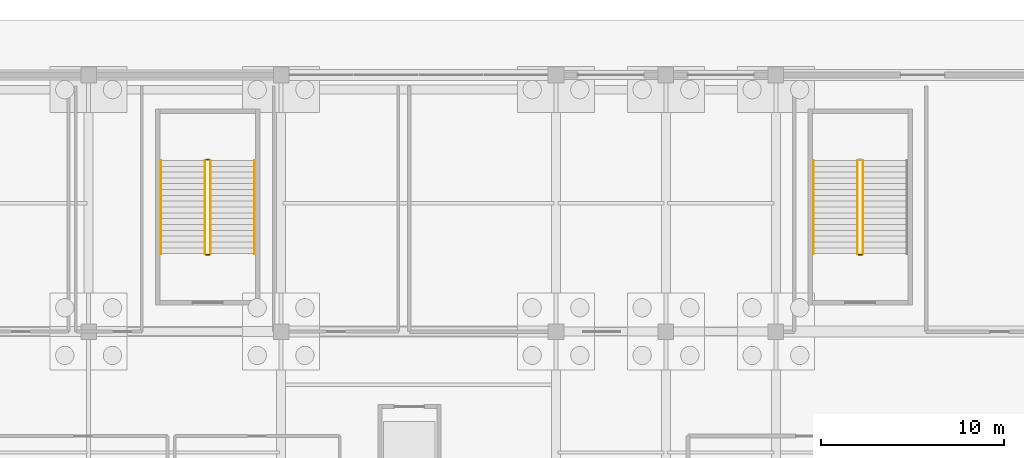
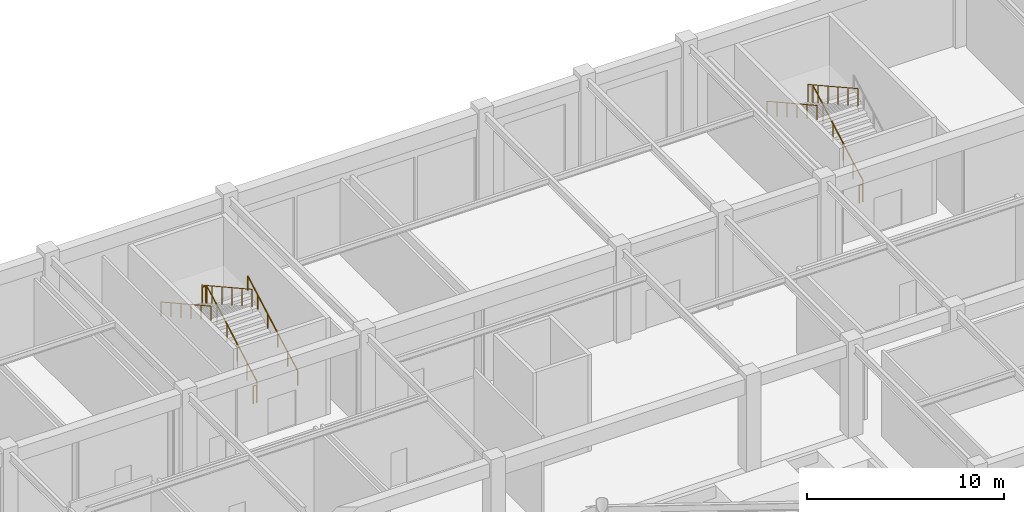
# One storey, part 119 of 121: 10 railings.
"""IFC4 building model written with IfcOpenShell, lengths in metres."""

from ifc_helpers import new_model, si_unit, direction, frame, origin, origin_2d, place, context, subcontext, project, spatial, circle, extrude, material, type_object, element, save


model = new_model("IFC4")

# Units and contexts
model_context = context("Model", 3, precision=1e-05, world=origin(), true_north=direction((0.0, 1.0)))
body_context = subcontext(model_context, "Body", "Model", "MODEL_VIEW")
ifc_project = project(units=[si_unit("LENGTHUNIT", "METRE"), si_unit("AREAUNIT", "SQUARE_METRE"), si_unit("VOLUMEUNIT", "CUBIC_METRE"), si_unit("PLANEANGLEUNIT", "RADIAN"), si_unit("MASSUNIT", "GRAM", prefix="KILO")], contexts=[model_context])

# Site, building, storey
site_placement = place(None, origin())
site = spatial("IfcSite", under=ifc_project, at=site_placement, CompositionType="ELEMENT")
building_placement = place(site_placement, origin())
building = spatial("IfcBuilding", under=site, at=building_placement, Name="Cuetzalor Civic Arena", CompositionType="ELEMENT")
storey_placement = place(building_placement, origin())
storey = spatial("IfcBuildingStorey", under=building, at=storey_placement, Name="L00", CompositionType="ELEMENT", Elevation=0.0)

# Railings
ifc_material_1 = material(Name="Reseda-green architectural Steel S355 balustrade", Category="steel")
railing_type_1 = type_object("IfcRailingType", Name="InteriorVoidBalustrade_1100", PredefinedType="BALUSTRADE", material=ifc_material_1)
railing_1_placement = place(storey_placement, frame((17.14990234375, 65.75, 0.176513671875)))
element("IfcRailing", 1, at=railing_1_placement, inside=storey, type_object=railing_type_1, Name="L00 ST-26 stair guard 1", PredefinedType="BALUSTRADE", context=body_context, shape_type="SweptSolid", body=[
    extrude(circle(Radius=0.02392578125, at=origin_2d()), frame((0.0, 0.0, 1.0810546875), z_axis=(0.0, 0.874384777292, 0.485233202945), x_axis=(-1.0, 0.0, 0.0)), (0.0, 0.0, 1.0), 5.81884765625),
    extrude(circle(Radius=0.02099609375, at=origin_2d()), origin(), (0.0, 0.0, 1.0), 1.056884765625),
    extrude(circle(Radius=0.02099609375, at=origin_2d()), frame((0.0, 1.017578125, 0.564697265625)), (0.0, 0.0, 1.0), 1.056884765625),
    extrude(circle(Radius=0.02099609375, at=origin_2d()), frame((0.0, 2.03515625, 1.12939453125)), (0.0, 0.0, 1.0), 1.056884765625),
    extrude(circle(Radius=0.02099609375, at=origin_2d()), frame((0.0, 3.052734375, 1.694091796875)), (0.0, 0.0, 1.0), 1.056884765625),
    extrude(circle(Radius=0.02099609375, at=origin_2d()), frame((0.0, 4.0703125, 2.2587890625)), (0.0, 0.0, 1.0), 1.056884765625),
    extrude(circle(Radius=0.02099609375, at=origin_2d()), frame((0.0, 5.087890625, 2.823486328125)), (0.0, 0.0, 1.0), 1.056884765625),
])
railing_2_placement = place(storey_placement, frame((17.10009765625, 70.887939453125, 3.0)))
element("IfcRailing", 2, at=railing_2_placement, inside=storey, type_object=railing_type_1, Name="L00 ST-26 stair guard 2", PredefinedType="BALUSTRADE", context=body_context, shape_type="SweptSolid", body=[
    extrude(circle(Radius=0.02392578125, at=origin_2d()), frame((0.0, 0.0, 1.0810546875), z_axis=(-1.0, 0.0, 0.0), x_axis=(0.0, -1.0, 0.0)), (0.0, 0.0, 1.0), 0.2001953125),
    extrude(circle(Radius=0.02099609375, at=origin_2d()), origin(), (0.0, 0.0, 1.0), 1.056884765625),
    extrude(circle(Radius=0.02099609375, at=origin_2d()), frame((-0.2001953125, 0.0, 0.0)), (0.0, 0.0, 1.0), 1.056884765625),
])
railing_3_placement = place(storey_placement, frame((16.85009765625, 70.837890625, 3.176513671875)))
element("IfcRailing", 3, at=railing_3_placement, inside=storey, type_object=railing_type_1, Name="L00 ST-26 stair guard 3", PredefinedType="BALUSTRADE", context=body_context, shape_type="SweptSolid", body=[
    extrude(circle(Radius=0.02392578125, at=origin_2d()), frame((0.0, 0.0, 1.0810546875), z_axis=(0.0, -0.874384777292, 0.485233202945), x_axis=(1.0, 0.0, 0.0)), (0.0, 0.0, 1.0), 5.81884765625),
    extrude(circle(Radius=0.02099609375, at=origin_2d()), origin(), (0.0, 0.0, 1.0), 1.056884765625),
    extrude(circle(Radius=0.02099609375, at=origin_2d()), frame((0.0, -1.017578125, 0.564697265625)), (0.0, 0.0, 1.0), 1.056884765625),
    extrude(circle(Radius=0.02099609375, at=origin_2d()), frame((0.0, -2.03515625, 1.12939453125)), (0.0, 0.0, 1.0), 1.056884765625),
    extrude(circle(Radius=0.02099609375, at=origin_2d()), frame((0.0, -3.052734375, 1.694091796875)), (0.0, 0.0, 1.0), 1.056884765625),
    extrude(circle(Radius=0.02099609375, at=origin_2d()), frame((0.0, -4.0703125, 2.2587890625)), (0.0, 0.0, 1.0), 1.056884765625),
    extrude(circle(Radius=0.02099609375, at=origin_2d()), frame((0.0, -5.087890625, 2.823486328125)), (0.0, 0.0, 1.0), 1.056884765625),
])
railing_4_placement = place(storey_placement, frame((17.10009765625, 65.699951171875, 0.0)))
element("IfcRailing", 4, at=railing_4_placement, inside=storey, type_object=railing_type_1, Name="L00 ST-26 stair guard 4", PredefinedType="BALUSTRADE", context=body_context, shape_type="SweptSolid", body=[
    extrude(circle(Radius=0.02392578125, at=origin_2d()), frame((0.0, 0.0, 1.0810546875), z_axis=(-1.0, 0.0, 0.0), x_axis=(0.0, -1.0, 0.0)), (0.0, 0.0, 1.0), 0.2001953125),
    extrude(circle(Radius=0.02099609375, at=origin_2d()), origin(), (0.0, 0.0, 1.0), 1.056884765625),
    extrude(circle(Radius=0.02099609375, at=origin_2d()), frame((-0.2001953125, 0.0, 0.0)), (0.0, 0.0, 1.0), 1.056884765625),
])
railing_5_placement = place(storey_placement, frame((52.75, 65.75, 0.176513671875)))
element("IfcRailing", 5, at=railing_5_placement, inside=storey, type_object=railing_type_1, Name="L00 ST-27 stair guard 1", PredefinedType="BALUSTRADE", context=body_context, shape_type="SweptSolid", body=[
    extrude(circle(Radius=0.02392578125, at=origin_2d()), frame((0.0, 0.0, 1.0810546875), z_axis=(0.0, 0.874384777292, 0.485233202945), x_axis=(-1.0, 0.0, 0.0)), (0.0, 0.0, 1.0), 5.81884765625),
    extrude(circle(Radius=0.02099609375, at=origin_2d()), origin(), (0.0, 0.0, 1.0), 1.056884765625),
    extrude(circle(Radius=0.02099609375, at=origin_2d()), frame((0.0, 1.017578125, 0.564697265625)), (0.0, 0.0, 1.0), 1.056884765625),
    extrude(circle(Radius=0.02099609375, at=origin_2d()), frame((0.0, 2.03515625, 1.12939453125)), (0.0, 0.0, 1.0), 1.056884765625),
    extrude(circle(Radius=0.02099609375, at=origin_2d()), frame((0.0, 3.052734375, 1.694091796875)), (0.0, 0.0, 1.0), 1.056884765625),
    extrude(circle(Radius=0.02099609375, at=origin_2d()), frame((0.0, 4.0703125, 2.2587890625)), (0.0, 0.0, 1.0), 1.056884765625),
    extrude(circle(Radius=0.02099609375, at=origin_2d()), frame((0.0, 5.087890625, 2.823486328125)), (0.0, 0.0, 1.0), 1.056884765625),
])
railing_6_placement = place(storey_placement, frame((52.449951171875, 70.837890625, 3.176513671875)))
element("IfcRailing", 6, at=railing_6_placement, inside=storey, type_object=railing_type_1, Name="L00 ST-27 stair guard 3", PredefinedType="BALUSTRADE", context=body_context, shape_type="SweptSolid", body=[
    extrude(circle(Radius=0.02392578125, at=origin_2d()), frame((0.0, 0.0, 1.0810546875), z_axis=(0.0, -0.874384777292, 0.485233202945), x_axis=(1.0, 0.0, 0.0)), (0.0, 0.0, 1.0), 5.81884765625),
    extrude(circle(Radius=0.02099609375, at=origin_2d()), origin(), (0.0, 0.0, 1.0), 1.056884765625),
    extrude(circle(Radius=0.02099609375, at=origin_2d()), frame((0.0, -1.017578125, 0.564697265625)), (0.0, 0.0, 1.0), 1.056884765625),
    extrude(circle(Radius=0.02099609375, at=origin_2d()), frame((0.0, -2.03515625, 1.12939453125)), (0.0, 0.0, 1.0), 1.056884765625),
    extrude(circle(Radius=0.02099609375, at=origin_2d()), frame((0.0, -3.052734375, 1.694091796875)), (0.0, 0.0, 1.0), 1.056884765625),
    extrude(circle(Radius=0.02099609375, at=origin_2d()), frame((0.0, -4.0703125, 2.2587890625)), (0.0, 0.0, 1.0), 1.056884765625),
    extrude(circle(Radius=0.02099609375, at=origin_2d()), frame((0.0, -5.087890625, 2.823486328125)), (0.0, 0.0, 1.0), 1.056884765625),
])
railing_7_placement = place(storey_placement, frame((52.699951171875, 65.699951171875, 0.0)))
element("IfcRailing", 7, at=railing_7_placement, inside=storey, type_object=railing_type_1, Name="L00 ST-27 stair guard 4", PredefinedType="BALUSTRADE", context=body_context, shape_type="SweptSolid", body=[
    extrude(circle(Radius=0.02392578125, at=origin_2d()), frame((0.0, 0.0, 1.0810546875), z_axis=(-1.0, 0.0, 0.0), x_axis=(0.0, -1.0, 0.0)), (0.0, 0.0, 1.0), 0.199951171875),
    extrude(circle(Radius=0.02099609375, at=origin_2d()), origin(), (0.0, 0.0, 1.0), 1.056884765625),
    extrude(circle(Radius=0.02099609375, at=origin_2d()), frame((-0.199951171875, 0.0, 0.0)), (0.0, 0.0, 1.0), 1.056884765625),
])
ifc_material_2 = material(Name="Galvanised steel S355", Category="steel")
railing_type_2 = type_object("IfcRailingType", Name="StairPitchHandrail_900", PredefinedType="HANDRAIL", material=ifc_material_2)
railing_8_placement = place(storey_placement, frame((19.550048828125, 65.75, 0.176513671875)))
element("IfcRailing", 8, at=railing_8_placement, inside=storey, type_object=railing_type_2, Name="L00 ST-26 stair handrail 1", PredefinedType="HANDRAIL", context=body_context, shape_type="SweptSolid", body=[
    extrude(circle(Radius=0.02392578125, at=origin_2d()), frame((0.0, 0.0, 0.8759765625), z_axis=(0.0, 0.874384777292, 0.485233202945), x_axis=(-1.0, 0.0, 0.0)), (0.0, 0.0, 1.0), 5.81884765625),
    extrude(circle(Radius=0.02099609375, at=origin_2d()), origin(), (0.0, 0.0, 1.0), 0.851806640625),
    extrude(circle(Radius=0.02099609375, at=origin_2d()), frame((0.0, 1.017578125, 0.564697265625)), (0.0, 0.0, 1.0), 0.851806640625),
    extrude(circle(Radius=0.02099609375, at=origin_2d()), frame((0.0, 2.03515625, 1.12939453125)), (0.0, 0.0, 1.0), 0.851806640625),
    extrude(circle(Radius=0.02099609375, at=origin_2d()), frame((0.0, 3.052734375, 1.694091796875)), (0.0, 0.0, 1.0), 0.851806640625),
    extrude(circle(Radius=0.02099609375, at=origin_2d()), frame((0.0, 4.0703125, 2.2587890625)), (0.0, 0.0, 1.0), 0.851806640625),
    extrude(circle(Radius=0.02099609375, at=origin_2d()), frame((0.0, 5.087890625, 2.823486328125)), (0.0, 0.0, 1.0), 0.851806640625),
])
for number, where, name in (
    (9, (14.449951171875, 70.837890625, 3.176513671875), "L00 ST-26 stair handrail 2"),
    (10, (50.050048828125, 70.837890625, 3.176513671875), "L00 ST-27 stair handrail 2"),
):
    element("IfcRailing", number, at=place(storey_placement, frame(where)), inside=storey, type_object=railing_type_2, Name=name, PredefinedType="HANDRAIL", context=body_context, shape_type="SweptSolid", body=[
        extrude(circle(Radius=0.02392578125, at=origin_2d()), frame((0.0, 0.0, 0.8759765625), z_axis=(0.0, -0.874384777292, 0.485233202945), x_axis=(1.0, 0.0, 0.0)), (0.0, 0.0, 1.0), 5.81884765625),
        extrude(circle(Radius=0.02099609375, at=origin_2d()), origin(), (0.0, 0.0, 1.0), 0.851806640625),
        extrude(circle(Radius=0.02099609375, at=origin_2d()), frame((0.0, -1.017578125, 0.564697265625)), (0.0, 0.0, 1.0), 0.851806640625),
        extrude(circle(Radius=0.02099609375, at=origin_2d()), frame((0.0, -2.03515625, 1.12939453125)), (0.0, 0.0, 1.0), 0.851806640625),
        extrude(circle(Radius=0.02099609375, at=origin_2d()), frame((0.0, -3.052734375, 1.694091796875)), (0.0, 0.0, 1.0), 0.851806640625),
        extrude(circle(Radius=0.02099609375, at=origin_2d()), frame((0.0, -4.0703125, 2.2587890625)), (0.0, 0.0, 1.0), 0.851806640625),
        extrude(circle(Radius=0.02099609375, at=origin_2d()), frame((0.0, -5.087890625, 2.823486328125)), (0.0, 0.0, 1.0), 0.851806640625),
    ])

save(model, "model.ifc")
